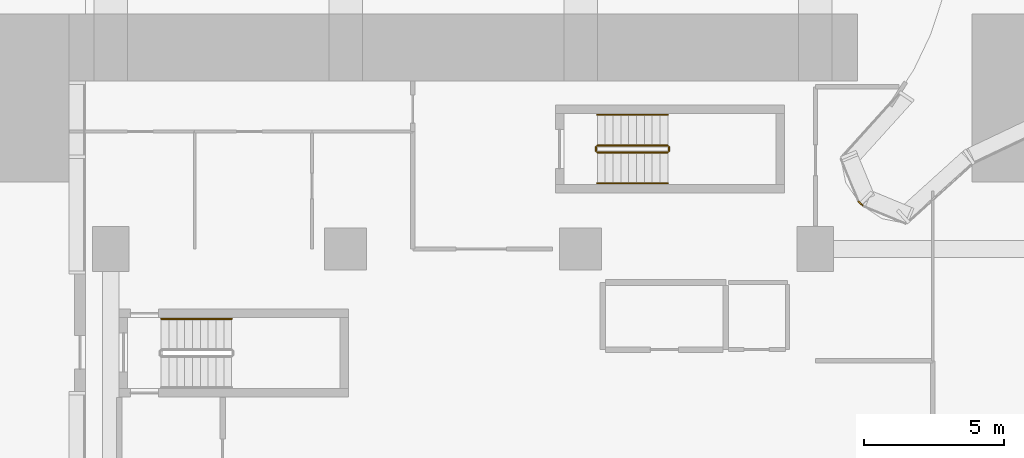
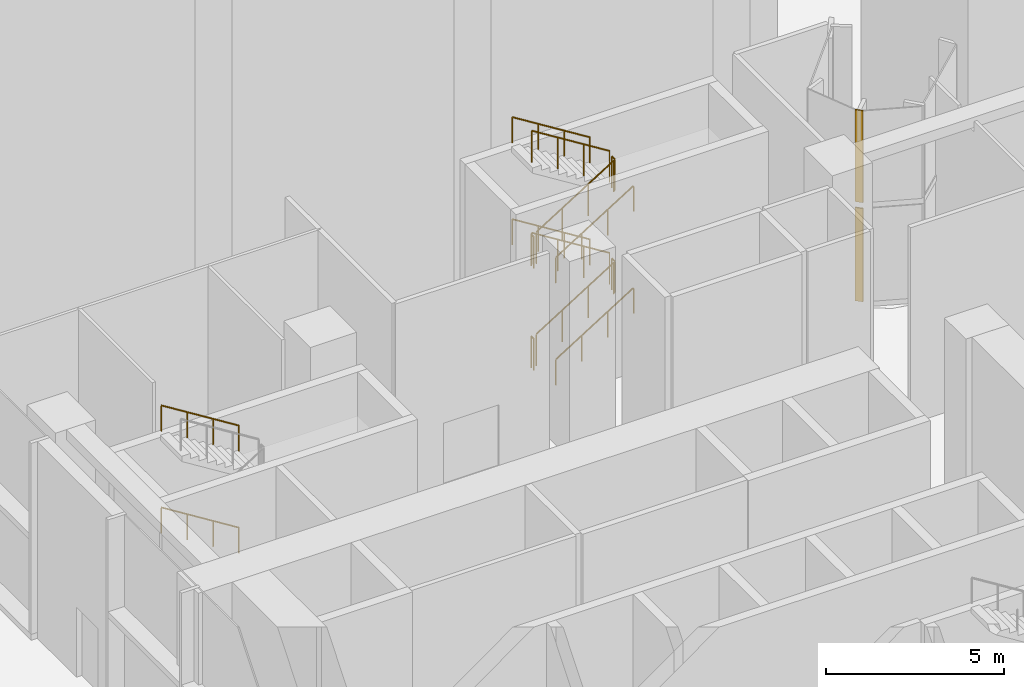
# One storey, part 18 of 21: 14 railings, 2 coverings, 1 element without a shape of its own.
"""IFC4 building model written with IfcOpenShell, lengths in metres."""

from ifc_helpers import new_model, si_unit, direction, frame, origin, origin_2d, place, context, subcontext, project, spatial, polyline, circle, outline, extrude, material, layer, layer_set, type_object, element, aggregate, save


model = new_model("IFC4")

# Units and contexts
model_context = context("Model", 3, precision=1e-05, world=origin(), true_north=direction((0.0, 1.0)))
body_context = subcontext(model_context, "Body", "Model", "MODEL_VIEW")
ifc_project = project(units=[si_unit("LENGTHUNIT", "METRE"), si_unit("AREAUNIT", "SQUARE_METRE"), si_unit("VOLUMEUNIT", "CUBIC_METRE"), si_unit("PLANEANGLEUNIT", "RADIAN"), si_unit("MASSUNIT", "GRAM", prefix="KILO")], contexts=[model_context])

# Site, building, storey
site_placement = place(None, origin())
site = spatial("IfcSite", under=ifc_project, at=site_placement, CompositionType="ELEMENT")
building_placement = place(site_placement, origin())
building = spatial("IfcBuilding", under=site, at=building_placement, Name="Brevane Broadcast Tower", CompositionType="ELEMENT")
storey_placement = place(building_placement, origin())
storey = spatial("IfcBuildingStorey", under=building, at=storey_placement, Name="L00", CompositionType="ELEMENT", Elevation=0.0)

# Railings
ifc_material_1 = material(Name="Steel S355", Category="steel")
railing_type_1 = type_object("IfcRailingType", Name="Exit stair guard", PredefinedType="GUARDRAIL", material=ifc_material_1)
railing_1_placement = place(storey_placement, frame((17.39990234375, 28.64990234375, 0.175048828125)))
element("IfcRailing", 1, at=railing_1_placement, inside=storey, type_object=railing_type_1, Name="L00 ST-3 stair guard 1", PredefinedType="GUARDRAIL", context=body_context, shape_type="SweptSolid", body=[
    extrude(circle(Radius=0.02392578125, at=origin_2d()), frame((0.0, 0.0, 1.076171875), z_axis=(0.848007534815, 0.0, 0.529984170421), x_axis=(0.0, 1.0, 0.0)), (0.0, 0.0, 1.0), 2.9716796875),
    extrude(circle(Radius=0.02099609375, at=origin_2d()), origin(), (0.0, 0.0, 1.0), 1.052001953125),
    extrude(circle(Radius=0.02099609375, at=origin_2d()), frame((0.840087890625, 0.0, 0.52490234375)), (0.0, 0.0, 1.0), 1.052001953125),
    extrude(circle(Radius=0.02099609375, at=origin_2d()), frame((1.679931640625, 0.0, 1.050048828125)), (0.0, 0.0, 1.0), 1.052001953125),
    extrude(circle(Radius=0.02099609375, at=origin_2d()), frame((2.52001953125, 0.0, 1.574951171875)), (0.0, 0.0, 1.0), 1.052001953125),
])
railing_2_placement = place(storey_placement, frame((19.969970703125, 28.699951171875, 1.75)))
element("IfcRailing", 2, at=railing_2_placement, inside=storey, type_object=railing_type_1, Name="L00 ST-3 stair guard 2", PredefinedType="GUARDRAIL", context=body_context, shape_type="SweptSolid", body=[
    extrude(circle(Radius=0.02392578125, at=origin_2d()), frame((0.0, 0.0, 1.076171875), z_axis=(0.0, 1.0, 0.0), x_axis=(-1.0, 0.0, 0.0)), (0.0, 0.0, 1.0), 0.150146484375),
    extrude(circle(Radius=0.02099609375, at=origin_2d()), origin(), (0.0, 0.0, 1.0), 1.052001953125),
    extrude(circle(Radius=0.02099609375, at=origin_2d()), frame((0.0, 0.150146484375, 0.0)), (0.0, 0.0, 1.0), 1.052001953125),
])
railing_3_placement = place(storey_placement, frame((19.919921875, 28.89990234375, 1.925048828125)))
element("IfcRailing", 3, at=railing_3_placement, inside=storey, type_object=railing_type_1, Name="L00 ST-3 stair guard 3", PredefinedType="GUARDRAIL", context=body_context, shape_type="SweptSolid", body=[
    extrude(circle(Radius=0.02392578125, at=origin_2d()), frame((0.0, 0.0, 1.076171875), z_axis=(-0.848007534815, 0.0, 0.529984170421), x_axis=(0.0, -1.0, 0.0)), (0.0, 0.0, 1.0), 2.9716796875),
    extrude(circle(Radius=0.02099609375, at=origin_2d()), origin(), (0.0, 0.0, 1.0), 1.052001953125),
    extrude(circle(Radius=0.02099609375, at=origin_2d()), frame((-0.840087890625, 0.0, 0.52490234375)), (0.0, 0.0, 1.0), 1.052001953125),
    extrude(circle(Radius=0.02099609375, at=origin_2d()), frame((-1.679931640625, 0.0, 1.050048828125)), (0.0, 0.0, 1.0), 1.052001953125),
    extrude(circle(Radius=0.02099609375, at=origin_2d()), frame((-2.52001953125, 0.0, 1.574951171875)), (0.0, 0.0, 1.0), 1.052001953125),
])
railing_4_placement = place(storey_placement, frame((17.35009765625, 28.699951171875, 3.5)))
element("IfcRailing", 4, at=railing_4_placement, inside=storey, type_object=railing_type_1, Name="L00 ST-3 stair guard 4", PredefinedType="GUARDRAIL", context=body_context, shape_type="SweptSolid", body=[
    extrude(circle(Radius=0.02392578125, at=origin_2d()), frame((0.0, 0.0, 1.076171875), z_axis=(0.0, 1.0, 0.0), x_axis=(-1.0, 0.0, 0.0)), (0.0, 0.0, 1.0), 0.150146484375),
    extrude(circle(Radius=0.02099609375, at=origin_2d()), origin(), (0.0, 0.0, 1.0), 1.052001953125),
    extrude(circle(Radius=0.02099609375, at=origin_2d()), frame((0.0, 0.150146484375, 0.0)), (0.0, 0.0, 1.0), 1.052001953125),
])
railing_5_placement = place(storey_placement, frame((17.39990234375, 28.64990234375, 3.675048828125)))
element("IfcRailing", 5, at=railing_5_placement, inside=storey, type_object=railing_type_1, Name="L00 ST-3 stair guard 5", PredefinedType="GUARDRAIL", context=body_context, shape_type="SweptSolid", body=[
    extrude(circle(Radius=0.02392578125, at=origin_2d()), frame((0.0, 0.0, 1.076171875), z_axis=(0.848007534815, 0.0, 0.529984170421), x_axis=(0.0, 1.0, 0.0)), (0.0, 0.0, 1.0), 2.9716796875),
    extrude(circle(Radius=0.02099609375, at=origin_2d()), origin(), (0.0, 0.0, 1.0), 1.052001953125),
    extrude(circle(Radius=0.02099609375, at=origin_2d()), frame((0.840087890625, 0.0, 0.52490234375)), (0.0, 0.0, 1.0), 1.052001953125),
    extrude(circle(Radius=0.02099609375, at=origin_2d()), frame((1.679931640625, 0.0, 1.050048828125)), (0.0, 0.0, 1.0), 1.052001953125),
    extrude(circle(Radius=0.02099609375, at=origin_2d()), frame((2.52001953125, 0.0, 1.574951171875)), (0.0, 0.0, 1.0), 1.052001953125),
])
railing_6_placement = place(storey_placement, frame((19.969970703125, 28.699951171875, 5.25)))
element("IfcRailing", 6, at=railing_6_placement, inside=storey, type_object=railing_type_1, Name="L00 ST-3 stair guard 6", PredefinedType="GUARDRAIL", context=body_context, shape_type="SweptSolid", body=[
    extrude(circle(Radius=0.02392578125, at=origin_2d()), frame((0.0, 0.0, 1.076171875), z_axis=(0.0, 1.0, 0.0), x_axis=(-1.0, 0.0, 0.0)), (0.0, 0.0, 1.0), 0.150146484375),
    extrude(circle(Radius=0.02099609375, at=origin_2d()), origin(), (0.0, 0.0, 1.0), 1.052001953125),
    extrude(circle(Radius=0.02099609375, at=origin_2d()), frame((0.0, 0.150146484375, 0.0)), (0.0, 0.0, 1.0), 1.052001953125),
])
railing_7_placement = place(storey_placement, frame((19.919921875, 28.89990234375, 5.425048828125)))
element("IfcRailing", 7, at=railing_7_placement, inside=storey, type_object=railing_type_1, Name="L00 ST-3 stair guard 7", PredefinedType="GUARDRAIL", context=body_context, shape_type="SweptSolid", body=[
    extrude(circle(Radius=0.02392578125, at=origin_2d()), frame((0.0, 0.0, 1.076171875), z_axis=(-0.848007534815, 0.0, 0.529984170421), x_axis=(0.0, -1.0, 0.0)), (0.0, 0.0, 1.0), 2.9716796875),
    extrude(circle(Radius=0.02099609375, at=origin_2d()), origin(), (0.0, 0.0, 1.0), 1.052001953125),
    extrude(circle(Radius=0.02099609375, at=origin_2d()), frame((-0.840087890625, 0.0, 0.52490234375)), (0.0, 0.0, 1.0), 1.052001953125),
    extrude(circle(Radius=0.02099609375, at=origin_2d()), frame((-1.679931640625, 0.0, 1.050048828125)), (0.0, 0.0, 1.0), 1.052001953125),
    extrude(circle(Radius=0.02099609375, at=origin_2d()), frame((-2.52001953125, 0.0, 1.574951171875)), (0.0, 0.0, 1.0), 1.052001953125),
])
railing_8_placement = place(storey_placement, frame((17.35009765625, 28.699951171875, 0.0)))
element("IfcRailing", 8, at=railing_8_placement, inside=storey, type_object=railing_type_1, Name="L00 ST-3 stair guard 8", PredefinedType="GUARDRAIL", context=body_context, shape_type="SweptSolid", body=[
    extrude(circle(Radius=0.02392578125, at=origin_2d()), frame((0.0, 0.0, 1.076171875), z_axis=(0.0, 1.0, 0.0), x_axis=(-1.0, 0.0, 0.0)), (0.0, 0.0, 1.0), 0.150146484375),
    extrude(circle(Radius=0.02099609375, at=origin_2d()), origin(), (0.0, 0.0, 1.0), 1.052001953125),
    extrude(circle(Radius=0.02099609375, at=origin_2d()), frame((0.0, 0.150146484375, 0.0)), (0.0, 0.0, 1.0), 1.052001953125),
])
railing_type_2 = type_object("IfcRailingType", Name="Exit stair handrail", PredefinedType="HANDRAIL", material=ifc_material_1)
for number, where, name in (
    (9, (4.320068359375, 22.699951171875, 1.925048828125), "L00 ST-1 stair handrail 2"),
    (10, (4.320068359375, 22.699951171875, 5.425048828125), "L00 ST-1 stair handrail 4"),
):
    element("IfcRailing", number, at=place(storey_placement, frame(where)), inside=storey, type_object=railing_type_2, Name=name, PredefinedType="HANDRAIL", context=body_context, shape_type="SweptSolid", body=[
        extrude(circle(Radius=0.02392578125, at=origin_2d()), frame((0.0, 0.0, 0.8759765625), z_axis=(-0.848007534815, 0.0, 0.529984170421), x_axis=(0.0, -1.0, 0.0)), (0.0, 0.0, 1.0), 2.9716796875),
        extrude(circle(Radius=0.02099609375, at=origin_2d()), origin(), (0.0, 0.0, 1.0), 0.851806640625),
        extrude(circle(Radius=0.02099609375, at=origin_2d()), frame((-0.840087890625, 0.0, 0.52490234375)), (0.0, 0.0, 1.0), 0.851806640625),
        extrude(circle(Radius=0.02099609375, at=origin_2d()), frame((-1.679931640625, 0.0, 1.050048828125)), (0.0, 0.0, 1.0), 0.851806640625),
        extrude(circle(Radius=0.02099609375, at=origin_2d()), frame((-2.52001953125, 0.0, 1.574951171875)), (0.0, 0.0, 1.0), 0.851806640625),
    ])
railing_9_placement = place(storey_placement, frame((17.39990234375, 27.550048828125, 0.175048828125)))
element("IfcRailing", 11, at=railing_9_placement, inside=storey, type_object=railing_type_2, Name="L00 ST-3 stair handrail 1", PredefinedType="HANDRAIL", context=body_context, shape_type="SweptSolid", body=[
    extrude(circle(Radius=0.02392578125, at=origin_2d()), frame((0.0, 0.0, 0.8759765625), z_axis=(0.848007534815, 0.0, 0.529984170421), x_axis=(0.0, 1.0, 0.0)), (0.0, 0.0, 1.0), 2.9716796875),
    extrude(circle(Radius=0.02099609375, at=origin_2d()), origin(), (0.0, 0.0, 1.0), 0.851806640625),
    extrude(circle(Radius=0.02099609375, at=origin_2d()), frame((0.840087890625, 0.0, 0.52490234375)), (0.0, 0.0, 1.0), 0.851806640625),
    extrude(circle(Radius=0.02099609375, at=origin_2d()), frame((1.679931640625, 0.0, 1.050048828125)), (0.0, 0.0, 1.0), 0.851806640625),
    extrude(circle(Radius=0.02099609375, at=origin_2d()), frame((2.52001953125, 0.0, 1.574951171875)), (0.0, 0.0, 1.0), 0.851806640625),
])
railing_10_placement = place(storey_placement, frame((19.919921875, 30.0, 1.925048828125)))
element("IfcRailing", 12, at=railing_10_placement, inside=storey, type_object=railing_type_2, Name="L00 ST-3 stair handrail 2", PredefinedType="HANDRAIL", context=body_context, shape_type="SweptSolid", body=[
    extrude(circle(Radius=0.02392578125, at=origin_2d()), frame((0.0, 0.0, 0.8759765625), z_axis=(-0.848007534815, 0.0, 0.529984170421), x_axis=(0.0, -1.0, 0.0)), (0.0, 0.0, 1.0), 2.9716796875),
    extrude(circle(Radius=0.02099609375, at=origin_2d()), origin(), (0.0, 0.0, 1.0), 0.851806640625),
    extrude(circle(Radius=0.02099609375, at=origin_2d()), frame((-0.840087890625, 0.0, 0.52490234375)), (0.0, 0.0, 1.0), 0.851806640625),
    extrude(circle(Radius=0.02099609375, at=origin_2d()), frame((-1.679931640625, 0.0, 1.050048828125)), (0.0, 0.0, 1.0), 0.851806640625),
    extrude(circle(Radius=0.02099609375, at=origin_2d()), frame((-2.52001953125, 0.0, 1.574951171875)), (0.0, 0.0, 1.0), 0.851806640625),
])
railing_11_placement = place(storey_placement, frame((17.39990234375, 27.550048828125, 3.675048828125)))
element("IfcRailing", 13, at=railing_11_placement, inside=storey, type_object=railing_type_2, Name="L00 ST-3 stair handrail 3", PredefinedType="HANDRAIL", context=body_context, shape_type="SweptSolid", body=[
    extrude(circle(Radius=0.02392578125, at=origin_2d()), frame((0.0, 0.0, 0.8759765625), z_axis=(0.848007534815, 0.0, 0.529984170421), x_axis=(0.0, 1.0, 0.0)), (0.0, 0.0, 1.0), 2.9716796875),
    extrude(circle(Radius=0.02099609375, at=origin_2d()), origin(), (0.0, 0.0, 1.0), 0.851806640625),
    extrude(circle(Radius=0.02099609375, at=origin_2d()), frame((0.840087890625, 0.0, 0.52490234375)), (0.0, 0.0, 1.0), 0.851806640625),
    extrude(circle(Radius=0.02099609375, at=origin_2d()), frame((1.679931640625, 0.0, 1.050048828125)), (0.0, 0.0, 1.0), 0.851806640625),
    extrude(circle(Radius=0.02099609375, at=origin_2d()), frame((2.52001953125, 0.0, 1.574951171875)), (0.0, 0.0, 1.0), 0.851806640625),
])
railing_12_placement = place(storey_placement, frame((19.919921875, 30.0, 5.425048828125)))
element("IfcRailing", 14, at=railing_12_placement, inside=storey, type_object=railing_type_2, Name="L00 ST-3 stair handrail 4", PredefinedType="HANDRAIL", context=body_context, shape_type="SweptSolid", body=[
    extrude(circle(Radius=0.02392578125, at=origin_2d()), frame((0.0, 0.0, 0.8759765625), z_axis=(-0.848007534815, 0.0, 0.529984170421), x_axis=(0.0, -1.0, 0.0)), (0.0, 0.0, 1.0), 2.9716796875),
    extrude(circle(Radius=0.02099609375, at=origin_2d()), origin(), (0.0, 0.0, 1.0), 0.851806640625),
    extrude(circle(Radius=0.02099609375, at=origin_2d()), frame((-0.840087890625, 0.0, 0.52490234375)), (0.0, 0.0, 1.0), 0.851806640625),
    extrude(circle(Radius=0.02099609375, at=origin_2d()), frame((-1.679931640625, 0.0, 1.050048828125)), (0.0, 0.0, 1.0), 0.851806640625),
    extrude(circle(Radius=0.02099609375, at=origin_2d()), frame((-2.52001953125, 0.0, 1.574951171875)), (0.0, 0.0, 1.0), 0.851806640625),
])

# Curtain wall, coverings
ifc_material_2 = material(Name="Aluminium 6063-T6 bronze anodised", Category="aluminium")
curtain_wall_type = type_object("IfcCurtainWallType", Name="CW-6 curtain wall", PredefinedType="NOTDEFINED", material=ifc_material_2)
curtain_wall_placement = place(storey_placement, origin())
curtain_wall = element("IfcCurtainWall", 15, at=curtain_wall_placement, inside=storey, type_object=curtain_wall_type, Name="CW-6 ground storey storefront unit L00 inner corner", PredefinedType="NOTDEFINED")
ifc_material_3 = material(Name="Back-painted bronze glass shadow-box", Category="glass")
ifc_layer = layer(ifc_material_3, 0.0400390625)
ifc_layer_set = layer_set([ifc_layer], Name="Shadow-box panel 40")
covering_type = type_object("IfcCoveringType", Name="Shadow-box panel 40", PredefinedType="CLADDING", material=ifc_layer_set)
covering_1_placement = place(storey_placement, frame((0.0, 0.0, 0.199951171875)))
covering_1 = element("IfcCovering", 16, at=covering_1_placement, type_object=covering_type, Name="Closure panel", PredefinedType="CLADDING", context=body_context, shape_type="SweptSolid", body=[
    extrude(outline(polyline([(26.88818359375, 26.722412109375), (26.918701171875, 26.7529296875), (26.7529296875, 26.918701171875), (26.722412109375, 26.88818359375), (26.88818359375, 26.722412109375)])), origin(), (0.0, 0.0, 1.0), 3.199951171875),
])
covering_2_placement = place(storey_placement, frame((0.0, 0.0, 3.60009765625)))
covering_2 = element("IfcCovering", 17, at=covering_2_placement, type_object=covering_type, Name="Closure panel", PredefinedType="CLADDING", context=body_context, shape_type="SweptSolid", body=[
    extrude(outline(polyline([(26.88818359375, 26.722412109375), (26.918701171875, 26.7529296875), (26.7529296875, 26.918701171875), (26.722412109375, 26.88818359375), (26.88818359375, 26.722412109375)])), origin(), (0.0, 0.0, 1.0), 3.14990234375),
])
aggregate(curtain_wall, [covering_1, covering_2])

save(model, "model.ifc")
